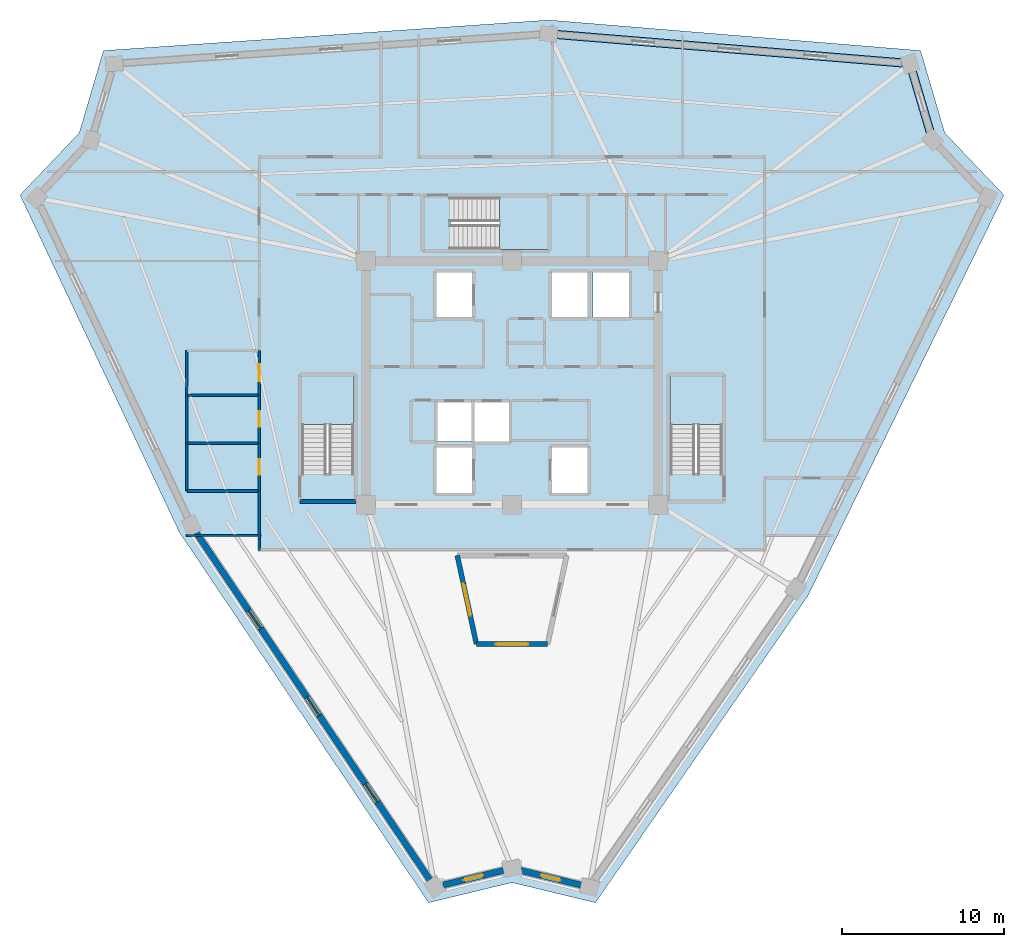
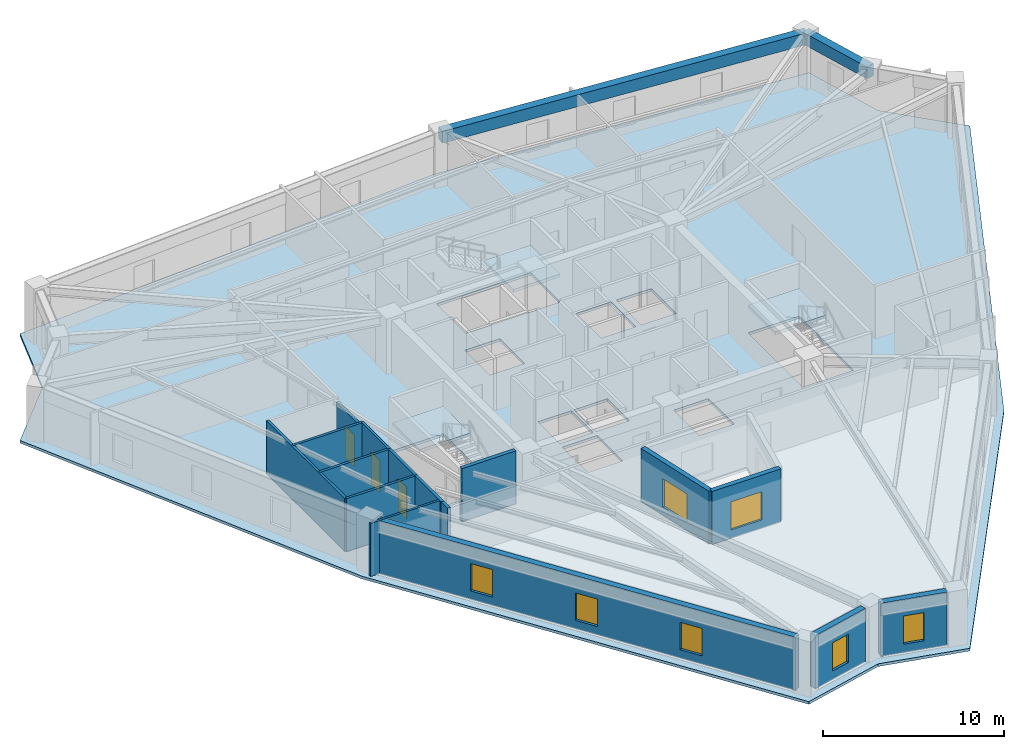
# One storey, part 2 of 9: 16 walls, 7 windows, 4 slabs, 3 doors, 2 beams, 10 openings, 3 elements without a shape of their own.
"""IFC4 building model written with IfcOpenShell, lengths in metres."""

from ifc_helpers import new_model, si_unit, direction, frame, frame_2d, origin, origin_2d, place, context, subcontext, project, spatial, polyline, rectangle, outline, extrude, source, transform, mapped, material, layer, layer_set, material_profile, profile_set, type_object, element, fill, aggregate, save


model = new_model("IFC4")

# Units and contexts
model_context = context("Model", 3, precision=1e-05, world=origin(), true_north=direction((0.0, 1.0)))
body_context = subcontext(model_context, "Body", "Model", "MODEL_VIEW")
ifc_project = project(units=[si_unit("LENGTHUNIT", "METRE"), si_unit("AREAUNIT", "SQUARE_METRE"), si_unit("VOLUMEUNIT", "CUBIC_METRE"), si_unit("PLANEANGLEUNIT", "RADIAN"), si_unit("MASSUNIT", "GRAM", prefix="KILO")], contexts=[model_context])

# Site, building, storey
site_placement = place(None, origin())
site = spatial("IfcSite", under=ifc_project, at=site_placement, CompositionType="ELEMENT")
building_placement = place(site_placement, origin())
building = spatial("IfcBuilding", under=site, at=building_placement, Name="Liaohun Quay Tower", CompositionType="ELEMENT")
storey_placement = place(building_placement, frame((0.0, 0.0, 328.5)))
storey = spatial("IfcBuildingStorey", under=building, at=storey_placement, Name="L85", CompositionType="ELEMENT", Elevation=328.5)

# Beams
ifc_material_1 = material(Name="Precast concrete C50", Category="concrete")
ifc_material_profile = material_profile(ifc_material_1, rectangle(XDim=0.5, YDim=0.800048828125, at=origin_2d()), Name="RC500x800")
ifc_profile_set = profile_set([ifc_material_profile], Name="Precast concrete C50")
beam_type = type_object("IfcBeamType", Name="BM-SPD-Z4", PredefinedType="SPANDREL", material=ifc_profile_set)
shared_shape_1 = source(origin(), body_context, "Body", "SweptSolid", [
    extrude(rectangle(XDim=0.5, YDim=0.800048828125, at=origin_2d()), origin(), (0.0, 0.0, 1.0), 22.320068359375),
])
beam_1_placement = place(storey_placement, frame((62.258056640625, 75.485107421875, 3.169921875), z_axis=(0.996632933955, -0.081992651846, 0.0), x_axis=(0.081992651846, 0.996632933955, 0.0)))
element("IfcBeam", 1, at=beam_1_placement, inside=storey, type_object=beam_type, Name="L85 Precast Spandrel Beam PC06-PC07", PredefinedType="SPANDREL", context=body_context, shape_type="MappedRepresentation", body=[
    mapped(shared_shape_1, transform((0.0, 0.0, 0.0), x_axis=(1.0, 0.0, 0.0), y_axis=(0.0, 1.0, 0.0), z_axis=(0.0, 0.0, 1.0), scale=1.0)),
])
shared_shape_2 = source(origin(), body_context, "Body", "SweptSolid", [
    extrude(rectangle(XDim=0.5, YDim=0.800048828125, at=origin_2d()), origin(), (0.0, 0.0, 1.0), 4.907470703125),
])
beam_2_placement = place(storey_placement, frame((84.5029296875, 73.655029296875, 3.169921875), z_axis=(0.282871920736, -0.959157691133, 0.0), x_axis=(0.959157691133, 0.282871920736, 0.0)))
element("IfcBeam", 2, at=beam_2_placement, inside=storey, type_object=beam_type, Name="L85 Precast Spandrel Beam PC07-PC08", PredefinedType="SPANDREL", context=body_context, shape_type="MappedRepresentation", body=[
    mapped(shared_shape_2, transform((0.0, 0.0, 0.0), x_axis=(1.0, 0.0, 0.0), y_axis=(0.0, 1.0, 0.0), z_axis=(0.0, 0.0, 1.0), scale=1.0)),
])

# Stair, slab
ifc_material_2 = material(Name="Concrete C45", Category="concrete")
stair_type = type_object("IfcStairType", Name="STR-CORE-OFF", PredefinedType="HALF_TURN_STAIR", material=ifc_material_2)
stair_1_placement = place(storey_placement, origin())
stair_1 = element("IfcStair", 3, at=stair_1_placement, inside=storey, type_object=stair_type, Name="L85 Smokeproof Core Exit Stair ST-1", PredefinedType="HALF_TURN_STAIR")
ifc_layer_1 = layer(ifc_material_2, 0.199951171875, Name="Concrete C45", Category="concrete")
ifc_layer_set_1 = layer_set([ifc_layer_1], Name="Concrete C45")
slab_type_1 = type_object("IfcSlabType", Name="SLB-LND-200", PredefinedType="LANDING", material=ifc_layer_set_1)
slab_1_placement = place(storey_placement, frame((0.0, 0.0, 1.675048828125)))
slab_1 = element("IfcSlab", 4, at=slab_1_placement, type_object=slab_type_1, Name="ST-1 landing 1", PredefinedType="LANDING", context=body_context, shape_type="SweptSolid", body=[
    extrude(outline(polyline([(50.280029296875, 51.429931640625), (50.280029296875, 54.419921875), (47.0400390625, 54.419921875), (47.0400390625, 51.429931640625), (50.280029296875, 51.429931640625)])), origin(), (0.0, 0.0, 1.0), 0.199951171875),
])
aggregate(stair_1, [slab_1])

stair_2_placement = place(storey_placement, origin())
stair_2 = element("IfcStair", 5, at=stair_2_placement, inside=storey, type_object=stair_type, Name="L85 Smokeproof Core Exit Stair ST-2", PredefinedType="HALF_TURN_STAIR")
slab_2_placement = place(storey_placement, frame((0.0, 0.0, 1.675048828125)))
slab_2 = element("IfcSlab", 6, at=slab_2_placement, type_object=slab_type_1, Name="ST-2 landing 1", PredefinedType="LANDING", context=body_context, shape_type="SweptSolid", body=[
    extrude(outline(polyline([(72.9599609375, 51.429931640625), (72.9599609375, 54.419921875), (69.719970703125, 54.419921875), (69.719970703125, 51.429931640625), (72.9599609375, 51.429931640625)])), origin(), (0.0, 0.0, 1.0), 0.199951171875),
])
aggregate(stair_2, [slab_2])

stair_3_placement = place(storey_placement, origin())
stair_3 = element("IfcStair", 7, at=stair_3_placement, inside=storey, type_object=stair_type, Name="L85 Smokeproof Core Exit Stair ST-3", PredefinedType="HALF_TURN_STAIR")
slab_3_placement = place(storey_placement, frame((0.0, 0.0, 1.675048828125)))
slab_3 = element("IfcSlab", 8, at=slab_3_placement, type_object=slab_type_1, Name="ST-3 landing 1", PredefinedType="LANDING", context=body_context, shape_type="SweptSolid", body=[
    extrude(outline(polyline([(59.22998046875, 62.199951171875), (62.219970703125, 62.199951171875), (62.219970703125, 65.43994140625), (59.22998046875, 65.43994140625), (59.22998046875, 62.199951171875)])), origin(), (0.0, 0.0, 1.0), 0.199951171875),
])
aggregate(stair_3, [slab_3])

# Slab
ifc_layer_2 = layer(ifc_material_2, 0.179931640625, Name="Concrete C45", Category="concrete")
ifc_layer_set_2 = layer_set([ifc_layer_2], Name="Concrete C45")
slab_type_2 = type_object("IfcSlabType", Name="SLB-OFF-180", PredefinedType="FLOOR", material=ifc_layer_set_2)
slab_4_placement = place(storey_placement, frame((0.0, 0.0, -0.179931640625)))
element("IfcSlab", 9, at=slab_4_placement, inside=storey, type_object=slab_type_2, Name="L85 Structural Floor Slab", PredefinedType="FLOOR", context=body_context, shape_type="SweptSolid", body=[
    extrude(outline(polyline([(54.863037109375, 21.989013671875), (60.0, 23.22998046875), (65.136962890625, 21.989013671875), (78.2119140625, 40.87109375), (90.291015625, 65.556884765625), (86.64794921875, 69.385009765625), (85.154052734375, 74.4541015625), (62.263916015625, 76.3369140625), (34.845947265625, 74.4541015625), (33.35205078125, 69.385009765625), (29.708984375, 65.556884765625), (39.52392578125, 44.7919921875), (54.863037109375, 21.989013671875)]), holes=[polyline([(57.56005859375, 50.030029296875), (55.340087890625, 50.030029296875), (55.340087890625, 47.2099609375), (57.56005859375, 47.2099609375), (57.56005859375, 50.030029296875)]), polyline([(47.0400390625, 54.419921875), (47.0400390625, 48.409912109375), (50.280029296875, 48.409912109375), (50.280029296875, 54.419921875), (47.0400390625, 54.419921875)]), polyline([(57.510009765625, 52.81005859375), (55.389892578125, 52.81005859375), (55.389892578125, 50.389892578125), (57.510009765625, 50.389892578125), (57.510009765625, 52.81005859375)]), polyline([(59.81005859375, 50.389892578125), (59.81005859375, 52.81005859375), (57.68994140625, 52.81005859375), (57.68994140625, 50.389892578125), (59.81005859375, 50.389892578125)]), polyline([(57.56005859375, 58.0400390625), (57.56005859375, 60.7900390625), (55.340087890625, 60.7900390625), (55.340087890625, 58.0400390625), (57.56005859375, 58.0400390625)]), polyline([(62.219970703125, 65.43994140625), (56.2099609375, 65.43994140625), (56.2099609375, 62.199951171875), (62.219970703125, 62.199951171875), (62.219970703125, 65.43994140625)]), polyline([(62.052978515625, 38.0859375), (63.157958984375, 43.199951171875), (56.842041015625, 43.199951171875), (57.947021484375, 38.0859375), (62.052978515625, 38.0859375)]), polyline([(64.659912109375, 47.2099609375), (64.659912109375, 50.030029296875), (62.43994140625, 50.030029296875), (62.43994140625, 47.2099609375), (64.659912109375, 47.2099609375)]), polyline([(69.719970703125, 54.419921875), (69.719970703125, 48.409912109375), (72.9599609375, 48.409912109375), (72.9599609375, 54.419921875), (69.719970703125, 54.419921875)]), polyline([(64.659912109375, 58.0400390625), (64.659912109375, 60.7900390625), (62.43994140625, 60.7900390625), (62.43994140625, 58.0400390625), (64.659912109375, 58.0400390625)]), polyline([(67.2099609375, 58.0400390625), (67.2099609375, 60.7900390625), (64.989990234375, 60.7900390625), (64.989990234375, 58.0400390625), (67.2099609375, 58.0400390625)])]), origin(), (0.0, 0.0, 1.0), 0.179931640625),
])

# Wall, opening, window
ifc_material_3 = material(Name="Concrete C50", Category="concrete")
ifc_layer_3 = layer(ifc_material_3, 0.300048828125, Name="Concrete C50", Category="concrete")
ifc_layer_set_3 = layer_set([ifc_layer_3], Name="Concrete C50")
wall_type_1 = type_object("IfcWallType", Name="WAL-ATR-300", PredefinedType="SOLIDWALL", material=ifc_layer_set_3)
wall_1_placement = place(storey_placement, frame((57.81005859375, 37.916015625, 0.0), z_axis=(0.0, 0.0, 1.0), x_axis=(-0.211279697176, 0.977425644006, 0.0)))
wall_1 = element("IfcWall", 10, at=wall_1_placement, inside=storey, type_object=wall_type_1, Name="L85 Atrium Fire Compartment Wall 1", PredefinedType="SOLIDWALL", context=body_context, shape_type="SweptSolid", body=[
    extrude(rectangle(XDim=5.580078125, YDim=0.300048828125, at=frame_2d((2.7900390625, 0.0))), origin(), (0.0, 0.0, 1.0), 3.570068359375),
])
shared_shape_3 = source(origin(), body_context, "Body", "SweptSolid", [
    extrude(rectangle(XDim=2.0, YDim=1.89990234375, at=frame_2d((1.0, 0.949951171875))), frame((0.0, 0.159912109375, 0.0), z_axis=(0.0, -1.0, 0.0), x_axis=(1.0, 0.0, 0.0)), (0.0, 0.0, 1.0), 0.320068359375),
])
opening_1_placement = place(wall_1_placement, frame((1.7900390625, 0.0, 0.550048828125)))
opening_1 = element("IfcOpeningElement", 11, at=opening_1_placement, cuts=wall_1, Name="Opening W07", PredefinedType="OPENING", context=body_context, shape_type="MappedRepresentation", body=[
    mapped(shared_shape_3, transform((0.0, 0.0, 0.0), x_axis=(1.0, 0.0, 0.0), y_axis=(0.0, 1.0, 0.0), z_axis=(0.0, 0.0, 1.0), scale=1.0)),
])
ifc_material_4 = material(Name="Class A 180-min fire-resistant insulated glazing", Category="glass")
window_type_1 = type_object("IfcWindowType", Name="WIN-ATR-FIR", PartitioningType="DOUBLE_PANEL_VERTICAL", PredefinedType="WINDOW", material=ifc_material_4)
shared_shape_4 = source(origin(), body_context, "Body", "SweptSolid", [
    extrude(rectangle(XDim=2.0, YDim=1.89990234375, at=frame_2d((1.0, 0.949951171875))), frame((0.0, 0.030029296875, 0.0), z_axis=(0.0, -1.0, 0.0), x_axis=(1.0, 0.0, 0.0)), (0.0, 0.0, 1.0), 0.06005859375),
])
window_1_placement = place(opening_1_placement, origin())
window_1 = element("IfcWindow", 12, at=window_1_placement, inside=storey, type_object=window_type_1, Name="L85 Atrium Fire-Resistant Glazing W07-1", OverallHeight=1.89990234375, OverallWidth=2.0, PartitioningType="DOUBLE_PANEL_VERTICAL", PredefinedType="WINDOW", context=body_context, shape_type="MappedRepresentation", body=[
    mapped(shared_shape_4, transform((0.0, 0.0, 0.0), x_axis=(1.0, 0.0, 0.0), y_axis=(0.0, 1.0, 0.0), z_axis=(0.0, 0.0, 1.0), scale=1.0)),
])
fill(opening_1, window_1)

wall_2_placement = place(storey_placement, frame((62.18994140625, 37.916015625, 0.0), z_axis=(0.0, 0.0, 1.0), x_axis=(-1.0, 0.0, 0.0)))
wall_2 = element("IfcWall", 13, at=wall_2_placement, inside=storey, type_object=wall_type_1, Name="L85 Atrium Fire Compartment Wall 4", PredefinedType="SOLIDWALL", context=body_context, shape_type="SweptSolid", body=[
    extrude(rectangle(XDim=4.3798828125, YDim=0.300048828125, at=frame_2d((2.18994140625, 0.0))), origin(), (0.0, 0.0, 1.0), 3.570068359375),
])
opening_2_placement = place(wall_2_placement, frame((1.18994140625, 0.0, 0.550048828125)))
opening_2 = element("IfcOpeningElement", 14, at=opening_2_placement, cuts=wall_2, Name="Opening W07", PredefinedType="OPENING", context=body_context, shape_type="MappedRepresentation", body=[
    mapped(shared_shape_3, transform((0.0, 0.0, 0.0), x_axis=(1.0, 0.0, 0.0), y_axis=(0.0, 1.0, 0.0), z_axis=(0.0, 0.0, 1.0), scale=1.0)),
])
window_2_placement = place(opening_2_placement, origin())
window_2 = element("IfcWindow", 15, at=window_2_placement, inside=storey, type_object=window_type_1, Name="L85 Atrium Fire-Resistant Glazing W07-4", OverallHeight=1.89990234375, OverallWidth=2.0, PartitioningType="DOUBLE_PANEL_VERTICAL", PredefinedType="WINDOW", context=body_context, shape_type="MappedRepresentation", body=[
    mapped(shared_shape_4, transform((0.0, 0.0, 0.0), x_axis=(1.0, 0.0, 0.0), y_axis=(0.0, 1.0, 0.0), z_axis=(0.0, 0.0, 1.0), scale=1.0)),
])
fill(opening_2, window_2)

ifc_material_5 = material(Name="Precast concrete C50 insulated sandwich", Category="concrete")
ifc_layer_4 = layer(ifc_material_5, 0.3798828125, Name="Precast concrete C50 insulated sandwich", Category="concrete")
ifc_layer_set_4 = layer_set([ifc_layer_4], Name="Precast concrete C50 insulated sandwich")
wall_type_2 = type_object("IfcWallType", Name="WAL-EXT-Z34", PredefinedType="SOLIDWALL", material=ifc_layer_set_4)
wall_3_placement = place(storey_placement, frame((60.52490234375, 23.97705078125, 0.0), z_axis=(0.0, 0.0, 1.0), x_axis=(0.972084215522, -0.234632218447, 0.0)))
wall_3 = element("IfcWall", 16, at=wall_3_placement, inside=storey, type_object=wall_type_2, Name="L85 Brutalist Precast Pier Wall 01", PredefinedType="SOLIDWALL", context=body_context, shape_type="SweptSolid", body=[
    extrude(rectangle(XDim=3.8271484375, YDim=0.3798828125, at=frame_2d((1.91357421875, 0.0))), origin(), (0.0, 0.0, 1.0), 3.570068359375),
])
shared_shape_5 = source(origin(), body_context, "Body", "SweptSolid", [
    extrude(rectangle(XDim=1.199951171875, YDim=1.89990234375, at=frame_2d((0.60009765625, 0.949951171875))), frame((0.0, 0.199951171875, 0.0), z_axis=(0.0, -1.0, 0.0), x_axis=(1.0, 0.0, 0.0)), (0.0, 0.0, 1.0), 0.39990234375),
])
opening_3_placement = place(wall_3_placement, frame((1.31298828125, 0.0, 0.550048828125)))
opening_3 = element("IfcOpeningElement", 17, at=opening_3_placement, cuts=wall_3, Name="Opening W05", PredefinedType="OPENING", context=body_context, shape_type="MappedRepresentation", body=[
    mapped(shared_shape_5, transform((0.0, 0.0, 0.0), x_axis=(1.0, 0.0, 0.0), y_axis=(0.0, 1.0, 0.0), z_axis=(0.0, 0.0, 1.0), scale=1.0)),
])
ifc_material_6 = material(Name="Triple Low-E corner notch glazing", Category="glass")
window_type_2 = type_object("IfcWindowType", Name="WIN-NOTCH", PartitioningType="SINGLE_PANEL", PredefinedType="WINDOW", material=ifc_material_6)
shared_shape_6 = source(origin(), body_context, "Body", "SweptSolid", [
    extrude(rectangle(XDim=1.199951171875, YDim=1.89990234375, at=frame_2d((0.60009765625, 0.949951171875))), frame((0.0, 0.030029296875, 0.0), z_axis=(0.0, -1.0, 0.0), x_axis=(1.0, 0.0, 0.0)), (0.0, 0.0, 1.0), 0.06005859375),
])
window_3_placement = place(opening_3_placement, origin())
window_3 = element("IfcWindow", 18, at=window_3_placement, inside=storey, type_object=window_type_2, Name="L85 Corner Notch Window W05-01", OverallHeight=1.89990234375, OverallWidth=1.199951171875, PartitioningType="SINGLE_PANEL", PredefinedType="WINDOW", context=body_context, shape_type="MappedRepresentation", body=[
    mapped(shared_shape_6, transform((0.0, 0.0, 0.0), x_axis=(1.0, 0.0, 0.0), y_axis=(0.0, 1.0, 0.0), z_axis=(0.0, 0.0, 1.0), scale=1.0)),
])
fill(opening_3, window_3)

# Wall, openings, windows
wall_4_placement = place(storey_placement, frame((40.56591796875, 44.764892578125, 0.0), z_axis=(0.0, 0.0, 1.0), x_axis=(0.558170282959, -0.829726421913, 0.0)))
wall_4 = element("IfcWall", 19, at=wall_4_placement, inside=storey, type_object=wall_type_2, Name="L85 Brutalist Precast Pier Wall 11", PredefinedType="SOLIDWALL", context=body_context, shape_type="SweptSolid", body=[
    extrude(rectangle(XDim=25.746826171875, YDim=0.3798828125, at=frame_2d((12.87353515625, 0.0))), origin(), (0.0, 0.0, 1.0), 3.570068359375),
])
shared_shape_7 = source(origin(), body_context, "Body", "SweptSolid", [
    extrude(rectangle(XDim=1.35009765625, YDim=1.85009765625, at=frame_2d((0.675048828125, 0.925048828125))), frame((0.0, 0.199951171875, 0.0), z_axis=(0.0, -1.0, 0.0), x_axis=(1.0, 0.0, 0.0)), (0.0, 0.0, 1.0), 0.39990234375),
])
opening_4_placement = place(wall_4_placement, frame((5.761962890625, 0.0, 0.550048828125)))
opening_4 = element("IfcOpeningElement", 20, at=opening_4_placement, cuts=wall_4, Name="Opening W04", PredefinedType="OPENING", context=body_context, shape_type="MappedRepresentation", body=[
    mapped(shared_shape_7, transform((0.0, 0.0, 0.0), x_axis=(1.0, 0.0, 0.0), y_axis=(0.0, 1.0, 0.0), z_axis=(0.0, 0.0, 1.0), scale=1.0)),
])
opening_5_placement = place(wall_4_placement, frame((12.197998046875, 0.0, 0.550048828125)))
opening_5 = element("IfcOpeningElement", 21, at=opening_5_placement, cuts=wall_4, Name="Opening W04", PredefinedType="OPENING", context=body_context, shape_type="MappedRepresentation", body=[
    mapped(shared_shape_7, transform((0.0, 0.0, 0.0), x_axis=(1.0, 0.0, 0.0), y_axis=(0.0, 1.0, 0.0), z_axis=(0.0, 0.0, 1.0), scale=1.0)),
])
opening_6_placement = place(wall_4_placement, frame((18.635009765625, 0.0, 0.550048828125)))
opening_6 = element("IfcOpeningElement", 22, at=opening_6_placement, cuts=wall_4, Name="Opening W04", PredefinedType="OPENING", context=body_context, shape_type="MappedRepresentation", body=[
    mapped(shared_shape_7, transform((0.0, 0.0, 0.0), x_axis=(1.0, 0.0, 0.0), y_axis=(0.0, 1.0, 0.0), z_axis=(0.0, 0.0, 1.0), scale=1.0)),
])
ifc_material_7 = material(Name="Triple Low-E argon glazing in thermally broken aluminium", Category="aluminium")
window_type_3 = type_object("IfcWindowType", Name="WIN-PUN-Z4", PartitioningType="SINGLE_PANEL", PredefinedType="WINDOW", material=ifc_material_7)
shared_shape_8 = source(origin(), body_context, "Body", "SweptSolid", [
    extrude(rectangle(XDim=1.35009765625, YDim=1.85009765625, at=frame_2d((0.675048828125, 0.925048828125))), frame((0.0, 0.030029296875, 0.0), z_axis=(0.0, -1.0, 0.0), x_axis=(1.0, 0.0, 0.0)), (0.0, 0.0, 1.0), 0.06005859375),
])
window_4_placement = place(opening_4_placement, origin())
window_4 = element("IfcWindow", 23, at=window_4_placement, inside=storey, type_object=window_type_3, Name="L85 Recessed Cold-Climate Punched Window 11-1", OverallHeight=1.85009765625, OverallWidth=1.35009765625, PartitioningType="SINGLE_PANEL", PredefinedType="WINDOW", context=body_context, shape_type="MappedRepresentation", body=[
    mapped(shared_shape_8, transform((0.0, 0.0, 0.0), x_axis=(1.0, 0.0, 0.0), y_axis=(0.0, 1.0, 0.0), z_axis=(0.0, 0.0, 1.0), scale=1.0)),
])
fill(opening_4, window_4)
window_5_placement = place(opening_5_placement, origin())
window_5 = element("IfcWindow", 24, at=window_5_placement, inside=storey, type_object=window_type_3, Name="L85 Recessed Cold-Climate Punched Window 11-2", OverallHeight=1.85009765625, OverallWidth=1.35009765625, PartitioningType="SINGLE_PANEL", PredefinedType="WINDOW", context=body_context, shape_type="MappedRepresentation", body=[
    mapped(shared_shape_8, transform((0.0, 0.0, 0.0), x_axis=(1.0, 0.0, 0.0), y_axis=(0.0, 1.0, 0.0), z_axis=(0.0, 0.0, 1.0), scale=1.0)),
])
fill(opening_5, window_5)
window_6_placement = place(opening_6_placement, origin())
window_6 = element("IfcWindow", 25, at=window_6_placement, inside=storey, type_object=window_type_3, Name="L85 Recessed Cold-Climate Punched Window 11-3", OverallHeight=1.85009765625, OverallWidth=1.35009765625, PartitioningType="SINGLE_PANEL", PredefinedType="WINDOW", context=body_context, shape_type="MappedRepresentation", body=[
    mapped(shared_shape_8, transform((0.0, 0.0, 0.0), x_axis=(1.0, 0.0, 0.0), y_axis=(0.0, 1.0, 0.0), z_axis=(0.0, 0.0, 1.0), scale=1.0)),
])
fill(opening_6, window_6)

# Wall, opening, window
wall_5_placement = place(storey_placement, frame((55.762939453125, 23.0810546875, 0.0), z_axis=(0.0, 0.0, 1.0), x_axis=(0.972084722694, 0.234630117217, 0.0)))
wall_5 = element("IfcWall", 26, at=wall_5_placement, inside=storey, type_object=wall_type_2, Name="L85 Brutalist Precast Pier Wall 12", PredefinedType="SOLIDWALL", context=body_context, shape_type="SweptSolid", body=[
    extrude(rectangle(XDim=3.81884765625, YDim=0.3798828125, at=frame_2d((1.909423828125, 0.0))), origin(), (0.0, 0.0, 1.0), 3.570068359375),
])
opening_7_placement = place(wall_5_placement, frame((1.30908203125, 0.0, 0.550048828125)))
opening_7 = element("IfcOpeningElement", 27, at=opening_7_placement, cuts=wall_5, Name="Opening W05", PredefinedType="OPENING", context=body_context, shape_type="MappedRepresentation", body=[
    mapped(shared_shape_5, transform((0.0, 0.0, 0.0), x_axis=(1.0, 0.0, 0.0), y_axis=(0.0, 1.0, 0.0), z_axis=(0.0, 0.0, 1.0), scale=1.0)),
])
window_7_placement = place(opening_7_placement, origin())
window_7 = element("IfcWindow", 28, at=window_7_placement, inside=storey, type_object=window_type_2, Name="L85 Corner Notch Window W05-12", OverallHeight=1.89990234375, OverallWidth=1.199951171875, PartitioningType="SINGLE_PANEL", PredefinedType="WINDOW", context=body_context, shape_type="MappedRepresentation", body=[
    mapped(shared_shape_6, transform((0.0, 0.0, 0.0), x_axis=(1.0, 0.0, 0.0), y_axis=(0.0, 1.0, 0.0), z_axis=(0.0, 0.0, 1.0), scale=1.0)),
])
fill(opening_7, window_7)

# Walls
ifc_material_8 = material(Name="Autoclaved aerated concrete blockwork", Category="masonry")
ifc_layer_5 = layer(ifc_material_8, 0.179931640625, Name="Autoclaved aerated concrete blockwork", Category="masonry")
ifc_layer_set_5 = layer_set([ifc_layer_5], Name="Autoclaved aerated concrete blockwork")
wall_type_3 = type_object("IfcWallType", Name="WAL-PRT-COR", PredefinedType="PARTITIONING", material=ifc_layer_set_5)
wall_6_placement = place(storey_placement, frame((44.43994140625, 44.385009765625, 0.0), z_axis=(0.0, 0.0, 1.0), x_axis=(0.0, 1.0, 0.0)))
element("IfcWall", 29, at=wall_6_placement, inside=storey, type_object=wall_type_3, Name="L85 Interior Partition Wall 050", PredefinedType="PARTITIONING", context=body_context, shape_type="SweptSolid", body=[
    extrude(rectangle(XDim=2.955078125, YDim=0.179931640625, at=frame_2d((1.4775390625, 0.0))), origin(), (0.0, 0.0, 1.0), 3.570068359375),
])
wall_7_placement = place(storey_placement, frame((44.43994140625, 43.669921875, 0.0), z_axis=(0.0, 0.0, 1.0), x_axis=(0.0, 1.0, 0.0)))
element("IfcWall", 30, at=wall_7_placement, inside=storey, type_object=wall_type_3, Name="L85 Interior Partition Wall 051", PredefinedType="PARTITIONING", context=body_context, shape_type="SweptSolid", body=[
    extrude(rectangle(XDim=0.715087890625, YDim=0.179931640625, at=frame_2d((0.357421875, 0.0))), origin(), (0.0, 0.0, 1.0), 3.570068359375),
])
ifc_material_9 = material(Name="Gypsum board on twin steel studs", Category="steel")
ifc_layer_6 = layer(ifc_material_9, 0.139892578125, Name="Gypsum board on twin steel studs", Category="steel")
ifc_layer_set_6 = layer_set([ifc_layer_6], Name="Gypsum board on twin steel studs")
wall_type_4 = type_object("IfcWallType", Name="WAL-PRT-OFF", PredefinedType="PARTITIONING", material=ifc_layer_set_6)
wall_8_placement = place(storey_placement, frame((44.5400390625, 44.60009765625, 0.0), z_axis=(0.0, 0.0, 1.0), x_axis=(-1.0, 0.0, 0.0)))
element("IfcWall", 31, at=wall_8_placement, inside=storey, type_object=wall_type_4, Name="L85 Interior Partition Wall 054", PredefinedType="PARTITIONING", context=body_context, shape_type="SweptSolid", body=[
    extrude(rectangle(XDim=4.6220703125, YDim=0.139892578125, at=frame_2d((2.31103515625, 0.0))), origin(), (0.0, 0.0, 1.0), 3.570068359375),
])

# Wall, opening, door
ifc_material_10 = material(Name="Moisture-resistant masonry blockwork", Category="masonry")
ifc_layer_7 = layer(ifc_material_10, 0.159912109375, Name="Moisture-resistant masonry blockwork", Category="masonry")
ifc_layer_set_7 = layer_set([ifc_layer_7], Name="Moisture-resistant masonry blockwork")
wall_type_5 = type_object("IfcWallType", Name="WAL-PRT-WET", PredefinedType="PARTITIONING", material=ifc_layer_set_7)
wall_9_placement = place(storey_placement, frame((44.43994140625, 47.340087890625, 0.0), z_axis=(0.0, 0.0, 1.0), x_axis=(0.0, 1.0, 0.0)))
wall_9 = element("IfcWall", 32, at=wall_9_placement, inside=storey, type_object=wall_type_5, Name="L85 Interior Partition Wall 009", PredefinedType="PARTITIONING", context=body_context, shape_type="SweptSolid", body=[
    extrude(rectangle(XDim=2.93994140625, YDim=0.159912109375, at=frame_2d((1.469970703125, 0.0))), origin(), (0.0, 0.0, 1.0), 3.570068359375),
])
shared_shape_9 = source(origin(), body_context, "Body", "SweptSolid", [
    extrude(rectangle(XDim=0.949951171875, YDim=2.14990234375, at=frame_2d((0.47509765625, 1.074951171875))), frame((0.0, 0.08984375, 0.0), z_axis=(0.0, -1.0, 0.0), x_axis=(1.0, 0.0, 0.0)), (0.0, 0.0, 1.0), 0.179931640625),
])
opening_8_placement = place(wall_9_placement, frame((0.9951171875, 0.0, 0.0)))
opening_8 = element("IfcOpeningElement", 33, at=opening_8_placement, cuts=wall_9, Name="Opening WD1", PredefinedType="OPENING", context=body_context, shape_type="MappedRepresentation", body=[
    mapped(shared_shape_9, transform((0.0, 0.0, 0.0), x_axis=(1.0, 0.0, 0.0), y_axis=(0.0, 1.0, 0.0), z_axis=(0.0, 0.0, 1.0), scale=1.0)),
])
ifc_material_11 = material(Name="Moisture-resistant laminate timber leaf", Category="wood")
door_type_1 = type_object("IfcDoorType", Name="DOR-WC-950", OperationType="NOTDEFINED", PredefinedType="DOOR", material=ifc_material_11)
shared_shape_10 = source(origin(), body_context, "Body", "SweptSolid", [
    extrude(rectangle(XDim=0.949951171875, YDim=2.14990234375, at=frame_2d((0.47509765625, 1.074951171875))), frame((0.0, 0.02490234375, 0.0), z_axis=(0.0, -1.0, 0.0), x_axis=(1.0, 0.0, 0.0)), (0.0, 0.0, 1.0), 0.050048828125),
])
door_1_placement = place(opening_8_placement, origin())
door_1 = element("IfcDoor", 34, at=door_1_placement, inside=storey, type_object=door_type_1, Name="L85 Male Restroom WC Door", OperationType="SINGLE_SWING_LEFT", OverallHeight=2.14990234375, OverallWidth=0.949951171875, PredefinedType="DOOR", context=body_context, shape_type="MappedRepresentation", body=[
    mapped(shared_shape_10, transform((0.0, 0.0, 0.0), x_axis=(1.0, 0.0, 0.0), y_axis=(0.0, 1.0, 0.0), z_axis=(0.0, 0.0, 1.0), scale=1.0)),
])
fill(opening_8, door_1)

wall_10_placement = place(storey_placement, frame((44.43994140625, 50.280029296875, 0.0), z_axis=(0.0, 0.0, 1.0), x_axis=(0.0, 1.0, 0.0)))
wall_10 = element("IfcWall", 35, at=wall_10_placement, inside=storey, type_object=wall_type_5, Name="L85 Interior Partition Wall 010", PredefinedType="PARTITIONING", context=body_context, shape_type="SweptSolid", body=[
    extrude(rectangle(XDim=2.9599609375, YDim=0.159912109375, at=frame_2d((1.47998046875, 0.0))), origin(), (0.0, 0.0, 1.0), 3.570068359375),
])
opening_9_placement = place(wall_10_placement, frame((1.0048828125, 0.0, 0.0)))
opening_9 = element("IfcOpeningElement", 36, at=opening_9_placement, cuts=wall_10, Name="Opening WD1", PredefinedType="OPENING", context=body_context, shape_type="MappedRepresentation", body=[
    mapped(shared_shape_9, transform((0.0, 0.0, 0.0), x_axis=(1.0, 0.0, 0.0), y_axis=(0.0, 1.0, 0.0), z_axis=(0.0, 0.0, 1.0), scale=1.0)),
])
door_2_placement = place(opening_9_placement, origin())
door_2 = element("IfcDoor", 37, at=door_2_placement, inside=storey, type_object=door_type_1, Name="L85 Female Restroom WC Door", OperationType="SINGLE_SWING_RIGHT", OverallHeight=2.14990234375, OverallWidth=0.949951171875, PredefinedType="DOOR", context=body_context, shape_type="MappedRepresentation", body=[
    mapped(shared_shape_10, transform((0.0, 0.0, 0.0), x_axis=(1.0, 0.0, 0.0), y_axis=(0.0, 1.0, 0.0), z_axis=(0.0, 0.0, 1.0), scale=1.0)),
])
fill(opening_9, door_2)

wall_11_placement = place(storey_placement, frame((44.43994140625, 53.239990234375, 0.0), z_axis=(0.0, 0.0, 1.0), x_axis=(0.0, 1.0, 0.0)))
wall_11 = element("IfcWall", 38, at=wall_11_placement, inside=storey, type_object=wall_type_5, Name="L85 Interior Partition Wall 011", PredefinedType="PARTITIONING", context=body_context, shape_type="SweptSolid", body=[
    extrude(rectangle(XDim=2.739990234375, YDim=0.159912109375, at=frame_2d((1.3701171875, 0.0))), origin(), (0.0, 0.0, 1.0), 3.260986328125),
])
shared_shape_11 = source(origin(), body_context, "Body", "SweptSolid", [
    extrude(rectangle(XDim=1.050048828125, YDim=2.14990234375, at=frame_2d((0.52490234375, 1.074951171875))), frame((0.0, 0.08984375, 0.0), z_axis=(0.0, -1.0, 0.0), x_axis=(1.0, 0.0, 0.0)), (0.0, 0.0, 1.0), 0.179931640625),
])
opening_10_placement = place(wall_11_placement, frame((0.844970703125, 0.0, 0.0)))
opening_10 = element("IfcOpeningElement", 39, at=opening_10_placement, cuts=wall_11, Name="Opening WD2", PredefinedType="OPENING", context=body_context, shape_type="MappedRepresentation", body=[
    mapped(shared_shape_11, transform((0.0, 0.0, 0.0), x_axis=(1.0, 0.0, 0.0), y_axis=(0.0, 1.0, 0.0), z_axis=(0.0, 0.0, 1.0), scale=1.0)),
])
ifc_material_12 = material(Name="Accessible outward-swinging laminate door")
door_type_2 = type_object("IfcDoorType", Name="DOR-AWC-1050", OperationType="NOTDEFINED", PredefinedType="DOOR", material=ifc_material_12)
shared_shape_12 = source(origin(), body_context, "Body", "SweptSolid", [
    extrude(rectangle(XDim=1.050048828125, YDim=2.14990234375, at=frame_2d((0.52490234375, 1.074951171875))), frame((0.0, 0.02490234375, 0.0), z_axis=(0.0, -1.0, 0.0), x_axis=(1.0, 0.0, 0.0)), (0.0, 0.0, 1.0), 0.050048828125),
])
door_3_placement = place(opening_10_placement, origin())
door_3 = element("IfcDoor", 40, at=door_3_placement, inside=storey, type_object=door_type_2, Name="L85 Accessible WC Door", OperationType="SINGLE_SWING_LEFT", OverallHeight=2.14990234375, OverallWidth=1.050048828125, PredefinedType="DOOR", context=body_context, shape_type="MappedRepresentation", body=[
    mapped(shared_shape_12, transform((0.0, 0.0, 0.0), x_axis=(1.0, 0.0, 0.0), y_axis=(0.0, 1.0, 0.0), z_axis=(0.0, 0.0, 1.0), scale=1.0)),
])
fill(opening_10, door_3)

# Walls
wall_12_placement = place(storey_placement, frame((39.97998046875, 47.340087890625, 0.0), z_axis=(0.0, 0.0, 1.0), x_axis=(0.0, 1.0, 0.0)))
element("IfcWall", 41, at=wall_12_placement, inside=storey, type_object=wall_type_5, Name="L85 Interior Partition Wall 035", PredefinedType="PARTITIONING", context=body_context, shape_type="SweptSolid", body=[
    extrude(rectangle(XDim=8.639892578125, YDim=0.159912109375, at=frame_2d((4.31982421875, 0.0))), origin(), (0.0, 0.0, 1.0), 3.570068359375),
])
for number, where, z_axis, x_axis, name in (
    (42, (39.97998046875, 47.340087890625, 0.0), (0.0, 0.0, 1.0), (1.0, 0.0, 0.0), "L85 Interior Partition Wall 036"),
    (43, (39.97998046875, 50.280029296875, 0.0), (0.0, 0.0, 1.0), (1.0, 0.0, 0.0), "L85 Interior Partition Wall 037"),
    (44, (39.97998046875, 53.239990234375, 0.0), (0.0, 0.0, 1.0), (1.0, 0.0, 0.0), "L85 Interior Partition Wall 038"),
):
    element("IfcWall", number, at=place(storey_placement, frame(where, z_axis=z_axis, x_axis=x_axis)), inside=storey, type_object=wall_type_5, Name=name, PredefinedType="PARTITIONING", context=body_context, shape_type="SweptSolid", body=[
        extrude(rectangle(XDim=4.4599609375, YDim=0.159912109375, at=frame_2d((2.22998046875, 0.0))), origin(), (0.0, 0.0, 1.0), 3.570068359375),
    ])
ifc_layer_8 = layer(ifc_material_3, 0.239990234375, Name="Concrete C50", Category="concrete")
ifc_layer_set_8 = layer_set([ifc_layer_8], Name="Concrete C50")
wall_type_6 = type_object("IfcWallType", Name="WAL-SHF-200", PredefinedType="SOLIDWALL", material=ifc_layer_set_8)
wall_13_placement = place(storey_placement, frame((46.93994140625, 46.699951171875, 0.0), z_axis=(0.0, 0.0, 1.0), x_axis=(1.0, 0.0, 0.0)))
element("IfcWall", 45, at=wall_13_placement, inside=storey, type_object=wall_type_6, Name="L85 Stairwell ST-1 Structural Core Wall S", PredefinedType="SOLIDWALL", context=body_context, shape_type="SweptSolid", body=[
    extrude(rectangle(XDim=3.43994140625, YDim=0.239990234375, at=frame_2d((1.719970703125, 0.0))), origin(), (0.0, 0.0, 1.0), 3.570068359375),
])

save(model, "model.ifc")
